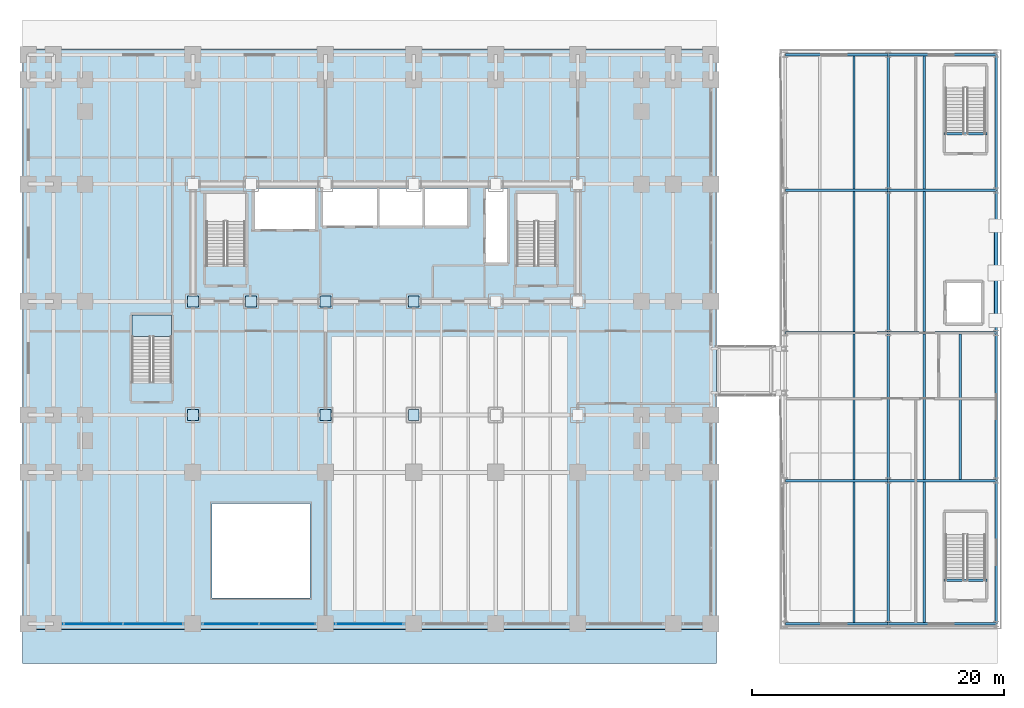
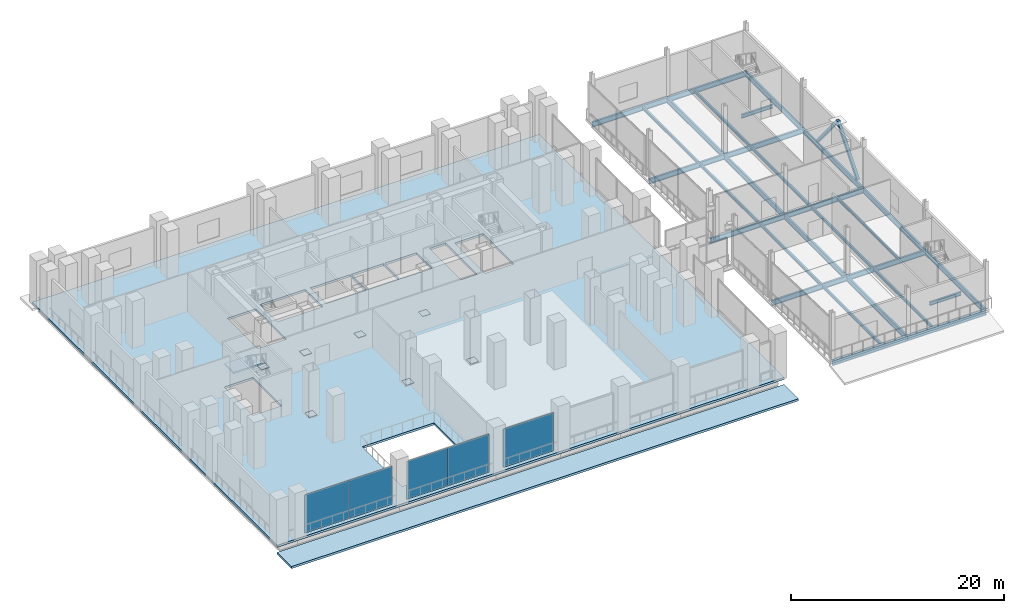
# One storey, part 18 of 32: 29 beams, 12 plates, 3 slabs, 2 members, 9 openings, 4 elements without a shape of their own.
"""IFC4 building model written with IfcOpenShell, lengths in metres."""

from ifc_helpers import new_model, si_unit, direction, frame, origin, origin_2d, place, context, subcontext, project, spatial, polyline, rectangle, hollow_rectangle, i_section, outline, extrude, material, layer, layer_set, material_profile, profile_set, type_object, element, aggregate, save


model = new_model("IFC4")

# Units and contexts
model_context = context("Model", 3, precision=1e-05, world=origin(), true_north=direction((0.0, 1.0)))
body_context = subcontext(model_context, "Body", "Model", "MODEL_VIEW")
ifc_project = project(units=[si_unit("LENGTHUNIT", "METRE"), si_unit("AREAUNIT", "SQUARE_METRE"), si_unit("VOLUMEUNIT", "CUBIC_METRE"), si_unit("PLANEANGLEUNIT", "RADIAN"), si_unit("MASSUNIT", "GRAM", prefix="KILO")], contexts=[model_context])

# Site, building, storey
site_placement = place(None, origin())
site = spatial("IfcSite", under=ifc_project, at=site_placement, CompositionType="ELEMENT")
building_placement = place(site_placement, origin())
building = spatial("IfcBuilding", under=site, at=building_placement, Name="Noeulbin Bourse Tower", CompositionType="ELEMENT")
storey_placement = place(building_placement, frame((0.0, 0.0, 5.800048828125)))
storey = spatial("IfcBuildingStorey", under=building, at=storey_placement, Name="L02", CompositionType="ELEMENT", Elevation=5.800048828125)

# Beams
ifc_material_1 = material(Name="Steel S355", Category="steel")
ifc_material_profile_1 = material_profile(ifc_material_1, i_section(OverallWidth=0.199951171875, OverallDepth=0.60009765625, WebThickness=0.010986328125, FlangeThickness=0.01708984375, FilletRadius=0.02197265625, at=origin_2d()), Name="H-600x200x11x17", Category="LoadBearing")
ifc_profile_set_1 = profile_set([ifc_material_profile_1], Name="Steel S355")
beam_type_1 = type_object("IfcBeamType", Name="BM-GRD-600", PredefinedType="USERDEFINED", material=ifc_profile_set_1)
beam_1_placement = place(storey_placement, frame((60.449951171875, 3.449951171875, -0.52001953125), z_axis=(1.0, 0.0, 0.0), x_axis=(0.0, 1.0, 0.0)))
element("IfcBeam", 1, at=beam_1_placement, inside=storey, type_object=beam_type_1, Name="Market Hall Girder EW L02-01", ObjectType="GIRDER", PredefinedType="USERDEFINED", context=body_context, shape_type="SweptSolid", body=[
    extrude(i_section(OverallWidth=0.199951171875, OverallDepth=0.60009765625, WebThickness=0.010986328125, FlangeThickness=0.01708984375, FilletRadius=0.02197265625, at=origin_2d()), origin(), (0.0, 0.0, 1.0), 8.150146484375),
])
beam_2_placement = place(storey_placement, frame((68.60009765625, 3.449951171875, -0.52001953125), z_axis=(1.0, 0.0, 0.0), x_axis=(0.0, 1.0, 0.0)))
element("IfcBeam", 2, at=beam_2_placement, inside=storey, type_object=beam_type_1, Name="Market Hall Girder EW L02-02", ObjectType="GIRDER", PredefinedType="USERDEFINED", context=body_context, shape_type="SweptSolid", body=[
    extrude(i_section(OverallWidth=0.199951171875, OverallDepth=0.60009765625, WebThickness=0.010986328125, FlangeThickness=0.01708984375, FilletRadius=0.02197265625, at=origin_2d()), origin(), (0.0, 0.0, 1.0), 8.5498046875),
])
beam_3_placement = place(storey_placement, frame((60.449951171875, 14.800048828125, -0.52001953125), z_axis=(1.0, 0.0, 0.0), x_axis=(0.0, 1.0, 0.0)))
element("IfcBeam", 3, at=beam_3_placement, inside=storey, type_object=beam_type_1, Name="Market Hall Girder EW L02-03", ObjectType="GIRDER", PredefinedType="USERDEFINED", context=body_context, shape_type="SweptSolid", body=[
    extrude(i_section(OverallWidth=0.199951171875, OverallDepth=0.60009765625, WebThickness=0.010986328125, FlangeThickness=0.01708984375, FilletRadius=0.02197265625, at=origin_2d()), origin(), (0.0, 0.0, 1.0), 8.150146484375),
])
beam_4_placement = place(storey_placement, frame((68.60009765625, 14.800048828125, -0.52001953125), z_axis=(1.0, 0.0, 0.0), x_axis=(0.0, 1.0, 0.0)))
element("IfcBeam", 4, at=beam_4_placement, inside=storey, type_object=beam_type_1, Name="Market Hall Girder EW L02-04", ObjectType="GIRDER", PredefinedType="USERDEFINED", context=body_context, shape_type="SweptSolid", body=[
    extrude(i_section(OverallWidth=0.199951171875, OverallDepth=0.60009765625, WebThickness=0.010986328125, FlangeThickness=0.01708984375, FilletRadius=0.02197265625, at=origin_2d()), origin(), (0.0, 0.0, 1.0), 8.5498046875),
])
beam_5_placement = place(storey_placement, frame((60.449951171875, 26.5, -0.52001953125), z_axis=(1.0, 0.0, 0.0), x_axis=(0.0, 1.0, 0.0)))
element("IfcBeam", 5, at=beam_5_placement, inside=storey, type_object=beam_type_1, Name="Market Hall Girder EW L02-05", ObjectType="GIRDER", PredefinedType="USERDEFINED", context=body_context, shape_type="SweptSolid", body=[
    extrude(i_section(OverallWidth=0.199951171875, OverallDepth=0.60009765625, WebThickness=0.010986328125, FlangeThickness=0.01708984375, FilletRadius=0.02197265625, at=origin_2d()), origin(), (0.0, 0.0, 1.0), 8.150146484375),
])
beam_6_placement = place(storey_placement, frame((68.60009765625, 26.5, -0.52001953125), z_axis=(1.0, 0.0, 0.0), x_axis=(0.0, 1.0, 0.0)))
element("IfcBeam", 6, at=beam_6_placement, inside=storey, type_object=beam_type_1, Name="Market Hall Girder EW L02-06", ObjectType="GIRDER", PredefinedType="USERDEFINED", context=body_context, shape_type="SweptSolid", body=[
    extrude(i_section(OverallWidth=0.199951171875, OverallDepth=0.60009765625, WebThickness=0.010986328125, FlangeThickness=0.01708984375, FilletRadius=0.02197265625, at=origin_2d()), origin(), (0.0, 0.0, 1.0), 8.5498046875),
])
beam_7_placement = place(storey_placement, frame((60.449951171875, 37.800048828125, -0.52001953125), z_axis=(1.0, 0.0, 0.0), x_axis=(0.0, 1.0, 0.0)))
element("IfcBeam", 7, at=beam_7_placement, inside=storey, type_object=beam_type_1, Name="Market Hall Girder EW L02-07", ObjectType="GIRDER", PredefinedType="USERDEFINED", context=body_context, shape_type="SweptSolid", body=[
    extrude(i_section(OverallWidth=0.199951171875, OverallDepth=0.60009765625, WebThickness=0.010986328125, FlangeThickness=0.01708984375, FilletRadius=0.02197265625, at=origin_2d()), origin(), (0.0, 0.0, 1.0), 8.150146484375),
])
beam_8_placement = place(storey_placement, frame((68.60009765625, 37.800048828125, -0.52001953125), z_axis=(1.0, 0.0, 0.0), x_axis=(0.0, 1.0, 0.0)))
element("IfcBeam", 8, at=beam_8_placement, inside=storey, type_object=beam_type_1, Name="Market Hall Girder EW L02-08", ObjectType="GIRDER", PredefinedType="USERDEFINED", context=body_context, shape_type="SweptSolid", body=[
    extrude(i_section(OverallWidth=0.199951171875, OverallDepth=0.60009765625, WebThickness=0.010986328125, FlangeThickness=0.01708984375, FilletRadius=0.02197265625, at=origin_2d()), origin(), (0.0, 0.0, 1.0), 8.5498046875),
])
beam_9_placement = place(storey_placement, frame((60.449951171875, 48.550048828125, -0.52001953125), z_axis=(1.0, 0.0, 0.0), x_axis=(0.0, 1.0, 0.0)))
element("IfcBeam", 9, at=beam_9_placement, inside=storey, type_object=beam_type_1, Name="Market Hall Girder EW L02-09", ObjectType="GIRDER", PredefinedType="USERDEFINED", context=body_context, shape_type="SweptSolid", body=[
    extrude(i_section(OverallWidth=0.199951171875, OverallDepth=0.60009765625, WebThickness=0.010986328125, FlangeThickness=0.01708984375, FilletRadius=0.02197265625, at=origin_2d()), origin(), (0.0, 0.0, 1.0), 8.150146484375),
])
beam_10_placement = place(storey_placement, frame((68.60009765625, 48.550048828125, -0.52001953125), z_axis=(1.0, 0.0, 0.0), x_axis=(0.0, 1.0, 0.0)))
element("IfcBeam", 10, at=beam_10_placement, inside=storey, type_object=beam_type_1, Name="Market Hall Girder EW L02-10", ObjectType="GIRDER", PredefinedType="USERDEFINED", context=body_context, shape_type="SweptSolid", body=[
    extrude(i_section(OverallWidth=0.199951171875, OverallDepth=0.60009765625, WebThickness=0.010986328125, FlangeThickness=0.01708984375, FilletRadius=0.02197265625, at=origin_2d()), origin(), (0.0, 0.0, 1.0), 8.5498046875),
])
beam_11_placement = place(storey_placement, frame((68.60009765625, 3.449951171875, -0.52001953125), z_axis=(0.0, 1.0, 0.0), x_axis=(-1.0, 0.0, 0.0)))
element("IfcBeam", 11, at=beam_11_placement, inside=storey, type_object=beam_type_1, Name="Market Hall Girder NS L02-15", ObjectType="GIRDER", PredefinedType="USERDEFINED", context=body_context, shape_type="SweptSolid", body=[
    extrude(i_section(OverallWidth=0.199951171875, OverallDepth=0.60009765625, WebThickness=0.010986328125, FlangeThickness=0.01708984375, FilletRadius=0.02197265625, at=origin_2d()), origin(), (0.0, 0.0, 1.0), 11.35009765625),
])
beam_12_placement = place(storey_placement, frame((68.60009765625, 14.800048828125, -0.52001953125), z_axis=(0.0, 1.0, 0.0), x_axis=(-1.0, 0.0, 0.0)))
element("IfcBeam", 12, at=beam_12_placement, inside=storey, type_object=beam_type_1, Name="Market Hall Girder NS L02-16", ObjectType="GIRDER", PredefinedType="USERDEFINED", context=body_context, shape_type="SweptSolid", body=[
    extrude(i_section(OverallWidth=0.199951171875, OverallDepth=0.60009765625, WebThickness=0.010986328125, FlangeThickness=0.01708984375, FilletRadius=0.02197265625, at=origin_2d()), origin(), (0.0, 0.0, 1.0), 11.699951171875),
])
beam_13_placement = place(storey_placement, frame((68.60009765625, 26.5, -0.52001953125), z_axis=(0.0, 1.0, 0.0), x_axis=(-1.0, 0.0, 0.0)))
element("IfcBeam", 13, at=beam_13_placement, inside=storey, type_object=beam_type_1, Name="Market Hall Girder NS L02-17", ObjectType="GIRDER", PredefinedType="USERDEFINED", context=body_context, shape_type="SweptSolid", body=[
    extrude(i_section(OverallWidth=0.199951171875, OverallDepth=0.60009765625, WebThickness=0.010986328125, FlangeThickness=0.01708984375, FilletRadius=0.02197265625, at=origin_2d()), origin(), (0.0, 0.0, 1.0), 11.300048828125),
])
beam_14_placement = place(storey_placement, frame((68.60009765625, 37.800048828125, -0.52001953125), z_axis=(0.0, 1.0, 0.0), x_axis=(-1.0, 0.0, 0.0)))
element("IfcBeam", 14, at=beam_14_placement, inside=storey, type_object=beam_type_1, Name="Market Hall Girder NS L02-18", ObjectType="GIRDER", PredefinedType="USERDEFINED", context=body_context, shape_type="SweptSolid", body=[
    extrude(i_section(OverallWidth=0.199951171875, OverallDepth=0.60009765625, WebThickness=0.010986328125, FlangeThickness=0.01708984375, FilletRadius=0.02197265625, at=origin_2d()), origin(), (0.0, 0.0, 1.0), 10.75),
])
beam_15_placement = place(storey_placement, frame((77.14990234375, 3.449951171875, -0.52001953125), z_axis=(0.0, 1.0, 0.0), x_axis=(-1.0, 0.0, 0.0)))
element("IfcBeam", 15, at=beam_15_placement, inside=storey, type_object=beam_type_1, Name="Market Hall Girder NS L02-19", ObjectType="GIRDER", PredefinedType="USERDEFINED", context=body_context, shape_type="SweptSolid", body=[
    extrude(i_section(OverallWidth=0.199951171875, OverallDepth=0.60009765625, WebThickness=0.010986328125, FlangeThickness=0.01708984375, FilletRadius=0.02197265625, at=origin_2d()), origin(), (0.0, 0.0, 1.0), 11.35009765625),
])
beam_16_placement = place(storey_placement, frame((77.14990234375, 14.800048828125, -0.52001953125), z_axis=(0.0, 1.0, 0.0), x_axis=(-1.0, 0.0, 0.0)))
element("IfcBeam", 16, at=beam_16_placement, inside=storey, type_object=beam_type_1, Name="Market Hall Girder NS L02-20", ObjectType="GIRDER", PredefinedType="USERDEFINED", context=body_context, shape_type="SweptSolid", body=[
    extrude(i_section(OverallWidth=0.199951171875, OverallDepth=0.60009765625, WebThickness=0.010986328125, FlangeThickness=0.01708984375, FilletRadius=0.02197265625, at=origin_2d()), origin(), (0.0, 0.0, 1.0), 11.699951171875),
])
beam_17_placement = place(storey_placement, frame((77.14990234375, 26.5, -0.52001953125), z_axis=(0.0, 1.0, 0.0), x_axis=(-1.0, 0.0, 0.0)))
element("IfcBeam", 17, at=beam_17_placement, inside=storey, type_object=beam_type_1, Name="Market Hall Girder NS L02-21", ObjectType="GIRDER", PredefinedType="USERDEFINED", context=body_context, shape_type="SweptSolid", body=[
    extrude(i_section(OverallWidth=0.199951171875, OverallDepth=0.60009765625, WebThickness=0.010986328125, FlangeThickness=0.01708984375, FilletRadius=0.02197265625, at=origin_2d()), origin(), (0.0, 0.0, 1.0), 11.300048828125),
])
beam_18_placement = place(storey_placement, frame((77.14990234375, 37.800048828125, -0.52001953125), z_axis=(0.0, 1.0, 0.0), x_axis=(-1.0, 0.0, 0.0)))
element("IfcBeam", 18, at=beam_18_placement, inside=storey, type_object=beam_type_1, Name="Market Hall Girder NS L02-22", ObjectType="GIRDER", PredefinedType="USERDEFINED", context=body_context, shape_type="SweptSolid", body=[
    extrude(i_section(OverallWidth=0.199951171875, OverallDepth=0.60009765625, WebThickness=0.010986328125, FlangeThickness=0.01708984375, FilletRadius=0.02197265625, at=origin_2d()), origin(), (0.0, 0.0, 1.0), 10.75),
])
ifc_material_profile_2 = material_profile(ifc_material_1, i_section(OverallWidth=0.175048828125, OverallDepth=0.35009765625, WebThickness=0.007080078125, FlangeThickness=0.010986328125, FilletRadius=0.013916015625, at=origin_2d()), Name="H-350x175x7x11", Category="LoadBearing")
ifc_profile_set_2 = profile_set([ifc_material_profile_2], Name="Steel S355")
beam_type_2 = type_object("IfcBeamType", Name="BM-JST-350", PredefinedType="JOIST", material=ifc_profile_set_2)
beam_19_placement = place(storey_placement, frame((65.88330078125, 3.550048828125, -0.39501953125), z_axis=(0.0, 1.0, 0.0), x_axis=(-1.0, 0.0, 0.0)))
element("IfcBeam", 19, at=beam_19_placement, inside=storey, type_object=beam_type_2, Name="Market Hall Secondary Joist L02-05", PredefinedType="JOIST", context=body_context, shape_type="SweptSolid", body=[
    extrude(i_section(OverallWidth=0.175048828125, OverallDepth=0.35009765625, WebThickness=0.007080078125, FlangeThickness=0.010986328125, FilletRadius=0.013916015625, at=origin_2d()), origin(), (0.0, 0.0, 1.0), 11.14990234375),
])
beam_20_placement = place(storey_placement, frame((65.88330078125, 14.89990234375, -0.39501953125), z_axis=(0.0, 1.0, 0.0), x_axis=(-1.0, 0.0, 0.0)))
element("IfcBeam", 20, at=beam_20_placement, inside=storey, type_object=beam_type_2, Name="Market Hall Secondary Joist L02-06", PredefinedType="JOIST", context=body_context, shape_type="SweptSolid", body=[
    extrude(i_section(OverallWidth=0.175048828125, OverallDepth=0.35009765625, WebThickness=0.007080078125, FlangeThickness=0.010986328125, FilletRadius=0.013916015625, at=origin_2d()), origin(), (0.0, 0.0, 1.0), 11.5),
])
beam_21_placement = place(storey_placement, frame((65.88330078125, 26.60009765625, -0.39501953125), z_axis=(0.0, 1.0, 0.0), x_axis=(-1.0, 0.0, 0.0)))
element("IfcBeam", 21, at=beam_21_placement, inside=storey, type_object=beam_type_2, Name="Market Hall Secondary Joist L02-07", PredefinedType="JOIST", context=body_context, shape_type="SweptSolid", body=[
    extrude(i_section(OverallWidth=0.175048828125, OverallDepth=0.35009765625, WebThickness=0.007080078125, FlangeThickness=0.010986328125, FilletRadius=0.013916015625, at=origin_2d()), origin(), (0.0, 0.0, 1.0), 11.099853515625),
])
beam_22_placement = place(storey_placement, frame((65.88330078125, 37.89990234375, -0.39501953125), z_axis=(0.0, 1.0, 0.0), x_axis=(-1.0, 0.0, 0.0)))
element("IfcBeam", 22, at=beam_22_placement, inside=storey, type_object=beam_type_2, Name="Market Hall Secondary Joist L02-08", PredefinedType="JOIST", context=body_context, shape_type="SweptSolid", body=[
    extrude(i_section(OverallWidth=0.175048828125, OverallDepth=0.35009765625, WebThickness=0.007080078125, FlangeThickness=0.010986328125, FilletRadius=0.013916015625, at=origin_2d()), origin(), (0.0, 0.0, 1.0), 10.550048828125),
])
beam_23_placement = place(storey_placement, frame((71.449951171875, 3.550048828125, -0.39501953125), z_axis=(0.0, 1.0, 0.0), x_axis=(-1.0, 0.0, 0.0)))
element("IfcBeam", 23, at=beam_23_placement, inside=storey, type_object=beam_type_2, Name="Market Hall Secondary Joist L02-09", PredefinedType="JOIST", context=body_context, shape_type="SweptSolid", body=[
    extrude(i_section(OverallWidth=0.175048828125, OverallDepth=0.35009765625, WebThickness=0.007080078125, FlangeThickness=0.010986328125, FilletRadius=0.013916015625, at=origin_2d()), origin(), (0.0, 0.0, 1.0), 11.14990234375),
])
beam_24_placement = place(storey_placement, frame((71.449951171875, 14.89990234375, -0.39501953125), z_axis=(0.0, 1.0, 0.0), x_axis=(-1.0, 0.0, 0.0)))
element("IfcBeam", 24, at=beam_24_placement, inside=storey, type_object=beam_type_2, Name="Market Hall Secondary Joist L02-10", PredefinedType="JOIST", context=body_context, shape_type="SweptSolid", body=[
    extrude(i_section(OverallWidth=0.175048828125, OverallDepth=0.35009765625, WebThickness=0.007080078125, FlangeThickness=0.010986328125, FilletRadius=0.013916015625, at=origin_2d()), origin(), (0.0, 0.0, 1.0), 11.5),
])
beam_25_placement = place(storey_placement, frame((71.449951171875, 26.60009765625, -0.39501953125), z_axis=(0.0, 1.0, 0.0), x_axis=(-1.0, 0.0, 0.0)))
element("IfcBeam", 25, at=beam_25_placement, inside=storey, type_object=beam_type_2, Name="Market Hall Secondary Joist L02-11", PredefinedType="JOIST", context=body_context, shape_type="SweptSolid", body=[
    extrude(i_section(OverallWidth=0.175048828125, OverallDepth=0.35009765625, WebThickness=0.007080078125, FlangeThickness=0.010986328125, FilletRadius=0.013916015625, at=origin_2d()), origin(), (0.0, 0.0, 1.0), 11.099853515625),
])
beam_26_placement = place(storey_placement, frame((71.449951171875, 37.89990234375, -0.39501953125), z_axis=(0.0, 1.0, 0.0), x_axis=(-1.0, 0.0, 0.0)))
element("IfcBeam", 26, at=beam_26_placement, inside=storey, type_object=beam_type_2, Name="Market Hall Secondary Joist L02-12", PredefinedType="JOIST", context=body_context, shape_type="SweptSolid", body=[
    extrude(i_section(OverallWidth=0.175048828125, OverallDepth=0.35009765625, WebThickness=0.007080078125, FlangeThickness=0.010986328125, FilletRadius=0.013916015625, at=origin_2d()), origin(), (0.0, 0.0, 1.0), 10.550048828125),
])
beam_27_placement = place(storey_placement, frame((74.300048828125, 14.89990234375, -0.39501953125), z_axis=(0.0, 1.0, 0.0), x_axis=(-1.0, 0.0, 0.0)))
element("IfcBeam", 27, at=beam_27_placement, inside=storey, type_object=beam_type_2, Name="Market Hall Secondary Joist L02-13", PredefinedType="JOIST", context=body_context, shape_type="SweptSolid", body=[
    extrude(i_section(OverallWidth=0.175048828125, OverallDepth=0.35009765625, WebThickness=0.007080078125, FlangeThickness=0.010986328125, FilletRadius=0.013916015625, at=origin_2d()), origin(), (0.0, 0.0, 1.0), 11.5),
])
ifc_material_profile_3 = material_profile(ifc_material_1, i_section(OverallWidth=0.199951171875, OverallDepth=0.39990234375, WebThickness=0.008056640625, FlangeThickness=0.012939453125, FilletRadius=0.01611328125, at=origin_2d()), Name="H-400x200x8x13", Category="LoadBearing")
ifc_profile_set_3 = profile_set([ifc_material_profile_3], Name="Steel S355")
beam_type_3 = type_object("IfcBeamType", Name="BM-SEC-400", PredefinedType="BEAM", material=ifc_profile_set_3)
for number, where, z_axis, x_axis, name in (
    (28, (73.02001953125, 6.889892578125, -0.199951171875), (1.0, 0.0, 0.0), (0.0, 1.0, 0.0), "Stair Threshold Trimmer Beam MST1-L02"),
    (29, (73.02001953125, 42.2900390625, -0.199951171875), (1.0, 0.0, 0.0), (0.0, 1.0, 0.0), "Stair Threshold Trimmer Beam MST2-L02"),
):
    element("IfcBeam", number, at=place(storey_placement, frame(where, z_axis=z_axis, x_axis=x_axis)), inside=storey, type_object=beam_type_3, Name=name, PredefinedType="BEAM", context=body_context, shape_type="SweptSolid", body=[
        extrude(i_section(OverallWidth=0.199951171875, OverallDepth=0.39990234375, WebThickness=0.008056640625, FlangeThickness=0.012939453125, FilletRadius=0.01611328125, at=origin_2d()), origin(), (0.0, 0.0, 1.0), 3.39990234375),
    ])

# Members
ifc_material_profile_4 = material_profile(ifc_material_1, hollow_rectangle(XDim=0.320068359375, YDim=0.320068359375, WallThickness=0.013916015625, InnerFilletRadius=0.013916015625, OuterFilletRadius=0.028076171875, at=origin_2d()), Name="SHS-320x320x14", Category="LoadBearing")
ifc_profile_set_4 = profile_set([ifc_material_profile_4], Name="Steel S355")
member_type = type_object("IfcMemberType", Name="MEM-MKT-320", PredefinedType="BRACE", material=ifc_profile_set_4)
for number, where, z_axis, x_axis, name in (
    (30, (77.14990234375, 27.5, 0.010009765625), (0.0, 0.638506468811, 0.769616455961), (-1.0, 0.0, 0.0), "Market Hall Braced Frame Diagonal MB-L02-1"),
    (31, (77.14990234375, 31.25, 4.530029296875), (0.0, 0.638506468811, -0.769616455961), (-1.0, 0.0, 0.0), "Market Hall Braced Frame Diagonal MB-L02-2"),
):
    element("IfcMember", number, at=place(storey_placement, frame(where, z_axis=z_axis, x_axis=x_axis)), inside=storey, type_object=member_type, Name=name, PredefinedType="BRACE", context=body_context, shape_type="SweptSolid", body=[
        extrude(hollow_rectangle(XDim=0.320068359375, YDim=0.320068359375, WallThickness=0.013916015625, InnerFilletRadius=0.013916015625, OuterFilletRadius=0.028076171875, at=origin_2d()), origin(), (0.0, 0.0, 1.0), 5.873046875),
    ])

# Curtain wall, plates
ifc_material_2 = material(Name="Laminated Clear Low-E Glass", Category="glass")
curtain_wall_type = type_object("IfcCurtainWallType", Name="CW-SYS-1", PredefinedType="NOTDEFINED", material=ifc_material_2)
curtain_wall_1_placement = place(storey_placement, origin())
curtain_wall_1 = element("IfcCurtainWall", 32, at=curtain_wall_1_placement, inside=storey, type_object=curtain_wall_type, Name="Unitised Curtain Wall CW-L02-POD-S-S1", PredefinedType="NOTDEFINED")
ifc_layer_1 = layer(ifc_material_2, 0.035888671875)
ifc_layer_set_1 = layer_set([ifc_layer_1], Name="Laminated Clear Low-E Glass")
plate_type_1 = type_object("IfcPlateType", Name="CW-SYS-1-PNL", PredefinedType="CURTAIN_PANEL", material=ifc_layer_set_1)
plate_1_placement = place(storey_placement, frame((5.60498046875, 3.449951171875, 0.0), z_axis=(0.0, 0.0, 1.0), x_axis=(1.0, 0.0, 0.0)))
plate_1 = element("IfcPlate", 33, at=plate_1_placement, type_object=plate_type_1, Name="Glazed Curtain Panel CW-L02-POD-S-S1-P00", PredefinedType="CURTAIN_PANEL", context=body_context, shape_type="SweptSolid", body=[
    extrude(rectangle(XDim=4.739990234375, YDim=0.035888671875, at=origin_2d()), origin(), (0.0, 0.0, 1.0), 4.3701171875),
])
plate_2_placement = place(storey_placement, frame((10.344970703125, 3.449951171875, 0.0), z_axis=(0.0, 0.0, 1.0), x_axis=(1.0, 0.0, 0.0)))
plate_2 = element("IfcPlate", 34, at=plate_2_placement, type_object=plate_type_1, Name="Glazed Curtain Panel CW-L02-POD-S-S1-P01", PredefinedType="CURTAIN_PANEL", context=body_context, shape_type="SweptSolid", body=[
    extrude(rectangle(XDim=4.739990234375, YDim=0.035888671875, at=origin_2d()), origin(), (0.0, 0.0, 1.0), 4.3701171875),
])
aggregate(curtain_wall_1, [plate_1, plate_2])

curtain_wall_2_placement = place(storey_placement, origin())
curtain_wall_2 = element("IfcCurtainWall", 35, at=curtain_wall_2_placement, inside=storey, type_object=curtain_wall_type, Name="Unitised Curtain Wall CW-L02-POD-S-S2", PredefinedType="NOTDEFINED")
plate_3_placement = place(storey_placement, frame((16.517578125, 3.449951171875, 0.0), z_axis=(0.0, 0.0, 1.0), x_axis=(1.0, 0.0, 0.0)))
plate_3 = element("IfcPlate", 36, at=plate_3_placement, type_object=plate_type_1, Name="Glazed Curtain Panel CW-L02-POD-S-S2-P00", PredefinedType="CURTAIN_PANEL", context=body_context, shape_type="SweptSolid", body=[
    extrude(rectangle(XDim=4.465087890625, YDim=0.035888671875, at=origin_2d()), origin(), (0.0, 0.0, 1.0), 4.3701171875),
])
plate_4_placement = place(storey_placement, frame((20.982421875, 3.449951171875, 0.0), z_axis=(0.0, 0.0, 1.0), x_axis=(1.0, 0.0, 0.0)))
plate_4 = element("IfcPlate", 37, at=plate_4_placement, type_object=plate_type_1, Name="Glazed Curtain Panel CW-L02-POD-S-S2-P01", PredefinedType="CURTAIN_PANEL", context=body_context, shape_type="SweptSolid", body=[
    extrude(rectangle(XDim=4.465087890625, YDim=0.035888671875, at=origin_2d()), origin(), (0.0, 0.0, 1.0), 4.3701171875),
])
aggregate(curtain_wall_2, [plate_3, plate_4])

# Curtain wall, plate
curtain_wall_3_placement = place(storey_placement, origin())
curtain_wall_3 = element("IfcCurtainWall", 38, at=curtain_wall_3_placement, inside=storey, type_object=curtain_wall_type, Name="Unitised Curtain Wall CW-L02-POD-S-S3", PredefinedType="NOTDEFINED")
plate_5_placement = place(storey_placement, frame((27.5, 3.449951171875, 0.0), z_axis=(0.0, 0.0, 1.0), x_axis=(1.0, 0.0, 0.0)))
plate_5 = element("IfcPlate", 39, at=plate_5_placement, type_object=plate_type_1, Name="Glazed Curtain Panel CW-L02-POD-S-S3-P00", PredefinedType="CURTAIN_PANEL", context=body_context, shape_type="SweptSolid", body=[
    extrude(rectangle(XDim=5.429931640625, YDim=0.035888671875, at=origin_2d()), origin(), (0.0, 0.0, 1.0), 4.3701171875),
])
aggregate(curtain_wall_3, [plate_5])

# Plates
ifc_layer_2 = layer(ifc_material_1, 0.030029296875)
ifc_layer_set_2 = layer_set([ifc_layer_2], Name="Steel S355")
plate_type_2 = type_object("IfcPlateType", Name="PLT-BN1", PredefinedType="USERDEFINED", material=ifc_layer_set_2)
for number, where, z_axis, x_axis, name in (
    (40, (13.5, 29.0, 0.0048828125), (0.0, 0.0, 1.0), (1.0, 0.0, 0.0), "Mega-Column Splice Plate BN1-L02-01"),
    (41, (18.10009765625, 29.0, 0.0048828125), (0.0, 0.0, 1.0), (1.0, 0.0, 0.0), "Mega-Column Splice Plate BN1-L02-03"),
    (42, (24.0, 29.0, 0.0048828125), (0.0, 0.0, 1.0), (1.0, 0.0, 0.0), "Mega-Column Splice Plate BN1-L02-05"),
    (43, (31.0, 29.0, 0.0048828125), (0.0, 0.0, 1.0), (1.0, 0.0, 0.0), "Mega-Column Splice Plate BN1-L02-07"),
    (44, (13.5, 20.0, 0.0048828125), (0.0, 0.0, 1.0), (1.0, 0.0, 0.0), "Mega-Column Splice Plate BN1-L02-13"),
    (45, (24.0, 20.0, 0.0048828125), (0.0, 0.0, 1.0), (1.0, 0.0, 0.0), "Mega-Column Splice Plate BN1-L02-14"),
    (46, (31.0, 20.0, 0.0048828125), (0.0, 0.0, 1.0), (1.0, 0.0, 0.0), "Mega-Column Splice Plate BN1-L02-15"),
):
    element("IfcPlate", number, at=place(storey_placement, frame(where, z_axis=z_axis, x_axis=x_axis)), inside=storey, type_object=plate_type_2, Name=name, ObjectType="SPLICE PLATE", PredefinedType="USERDEFINED", context=body_context, shape_type="SweptSolid", body=[
        extrude(rectangle(XDim=0.85009765625, YDim=0.85009765625, at=origin_2d()), origin(), (0.0, 0.0, 1.0), 0.030029296875),
    ])

# Stair, slab
ifc_material_3 = material(Name="Concrete C40/50", Category="concrete")
stair_type = type_object("IfcStairType", Name="STR-AUX-1620", PredefinedType="HALF_TURN_STAIR", material=ifc_material_3)
stair_placement = place(storey_placement, origin())
stair = element("IfcStair", 47, at=stair_placement, inside=storey, type_object=stair_type, Name="L02 ST-P1", PredefinedType="HALF_TURN_STAIR")
ifc_layer_3 = layer(ifc_material_3, 0.199951171875)
ifc_layer_set_3 = layer_set([ifc_layer_3], Name="Concrete C40/50")
slab_type_1 = type_object("IfcSlabType", Name="SLB-LND-200", PredefinedType="LANDING", material=ifc_layer_set_3)
slab_1_placement = place(storey_placement, frame((0.0, 0.0, 2.5)))
slab_1 = element("IfcSlab", 48, at=slab_1_placement, type_object=slab_type_1, Name="ST-P1 landing 1", PredefinedType="LANDING", context=body_context, shape_type="SweptSolid", body=[
    extrude(outline(polyline([(11.800048828125, 26.219970703125), (11.800048828125, 27.93994140625), (8.679931640625, 27.93994140625), (8.679931640625, 26.219970703125), (11.800048828125, 26.219970703125)])), origin(), (0.0, 0.0, 1.0), 0.199951171875),
])
aggregate(stair, [slab_1])

# Slab, openings
ifc_layer_4 = layer(ifc_material_3, 0.25)
ifc_layer_set_4 = layer_set([ifc_layer_4], Name="Concrete C40/50")
slab_type_2 = type_object("IfcSlabType", Name="SLB-POD-250", PredefinedType="FLOOR", material=ifc_layer_set_4)
slab_2_placement = place(storey_placement, frame((0.0, 0.0, -0.25)))
slab_2 = element("IfcSlab", 49, at=slab_2_placement, inside=storey, type_object=slab_type_2, Name="Exchange Podium Floor Slab L02", PredefinedType="FLOOR", context=body_context, shape_type="SweptSolid", body=[
    extrude(outline(polyline([(0.0, 3.0), (55.0, 3.0), (55.0, 49.0), (0.0, 49.0), (0.0, 3.0)]), holes=[polyline([(17.64990234375, 31.81005859375), (17.64990234375, 37.5439453125), (14.550048828125, 37.5439453125), (14.550048828125, 31.81005859375), (17.64990234375, 31.81005859375)]), polyline([(42.280029296875, 31.81005859375), (42.280029296875, 37.5439453125), (39.179931640625, 37.5439453125), (39.179931640625, 31.81005859375), (42.280029296875, 31.81005859375)]), polyline([(11.800048828125, 22.580078125), (11.800048828125, 27.93994140625), (8.679931640625, 27.93994140625), (8.679931640625, 22.580078125), (11.800048828125, 22.580078125)]), polyline([(18.35009765625, 34.699951171875), (23.25, 34.699951171875), (23.25, 37.949951171875), (18.35009765625, 37.949951171875), (18.35009765625, 34.699951171875)]), polyline([(36.699951171875, 32.050048828125), (38.449951171875, 32.050048828125), (38.449951171875, 37.949951171875), (36.699951171875, 37.949951171875), (36.699951171875, 32.050048828125)]), polyline([(23.800048828125, 35.0), (28.10009765625, 35.0), (28.10009765625, 37.949951171875), (23.800048828125, 37.949951171875), (23.800048828125, 35.0)]), polyline([(28.25, 35.0), (31.699951171875, 35.0), (31.699951171875, 37.949951171875), (28.25, 37.949951171875), (28.25, 35.0)]), polyline([(31.85009765625, 35.0), (35.300048828125, 35.0), (35.300048828125, 37.949951171875), (31.85009765625, 37.949951171875), (31.85009765625, 35.0)]), polyline([(15.0, 5.5), (22.800048828125, 5.5), (22.800048828125, 13.0), (15.0, 13.0), (15.0, 5.5)])]), origin(), (0.0, 0.0, 1.0), 0.25),
])
opening_1_placement = place(slab_2_placement, frame((0.0, 0.0, -0.010009765625)))
element("IfcOpeningElement", 50, at=opening_1_placement, cuts=slab_2, Name="Slab Shaft Opening SLB-L02-POD-1", PredefinedType="OPENING", context=body_context, shape_type="SweptSolid", body=[
    extrude(outline(polyline([(17.64990234375, 31.81005859375), (17.64990234375, 37.5439453125), (14.550048828125, 37.5439453125), (14.550048828125, 31.81005859375), (17.64990234375, 31.81005859375)])), origin(), (0.0, 0.0, 1.0), 0.27001953125),
])
opening_2_placement = place(slab_2_placement, frame((0.0, 0.0, -0.010009765625)))
element("IfcOpeningElement", 51, at=opening_2_placement, cuts=slab_2, Name="Slab Shaft Opening SLB-L02-POD-2", PredefinedType="OPENING", context=body_context, shape_type="SweptSolid", body=[
    extrude(outline(polyline([(42.280029296875, 31.81005859375), (42.280029296875, 37.5439453125), (39.179931640625, 37.5439453125), (39.179931640625, 31.81005859375), (42.280029296875, 31.81005859375)])), origin(), (0.0, 0.0, 1.0), 0.27001953125),
])
opening_3_placement = place(slab_2_placement, frame((0.0, 0.0, -0.010009765625)))
element("IfcOpeningElement", 52, at=opening_3_placement, cuts=slab_2, Name="Slab Shaft Opening SLB-L02-POD-3", PredefinedType="OPENING", context=body_context, shape_type="SweptSolid", body=[
    extrude(outline(polyline([(11.800048828125, 22.580078125), (11.800048828125, 27.93994140625), (8.679931640625, 27.93994140625), (8.679931640625, 22.580078125), (11.800048828125, 22.580078125)])), origin(), (0.0, 0.0, 1.0), 0.27001953125),
])
opening_4_placement = place(slab_2_placement, frame((0.0, 0.0, -0.010009765625)))
element("IfcOpeningElement", 53, at=opening_4_placement, cuts=slab_2, Name="Slab Shaft Opening SLB-L02-POD-4", PredefinedType="OPENING", context=body_context, shape_type="SweptSolid", body=[
    extrude(outline(polyline([(18.35009765625, 34.699951171875), (23.25, 34.699951171875), (23.25, 37.949951171875), (18.35009765625, 37.949951171875), (18.35009765625, 34.699951171875)])), origin(), (0.0, 0.0, 1.0), 0.27001953125),
])
opening_5_placement = place(slab_2_placement, frame((0.0, 0.0, -0.010009765625)))
element("IfcOpeningElement", 54, at=opening_5_placement, cuts=slab_2, Name="Slab Shaft Opening SLB-L02-POD-5", PredefinedType="OPENING", context=body_context, shape_type="SweptSolid", body=[
    extrude(outline(polyline([(36.699951171875, 32.050048828125), (38.449951171875, 32.050048828125), (38.449951171875, 37.949951171875), (36.699951171875, 37.949951171875), (36.699951171875, 32.050048828125)])), origin(), (0.0, 0.0, 1.0), 0.27001953125),
])
opening_6_placement = place(slab_2_placement, frame((0.0, 0.0, -0.010009765625)))
element("IfcOpeningElement", 55, at=opening_6_placement, cuts=slab_2, Name="Slab Shaft Opening SLB-L02-POD-6", PredefinedType="OPENING", context=body_context, shape_type="SweptSolid", body=[
    extrude(outline(polyline([(23.800048828125, 35.0), (28.10009765625, 35.0), (28.10009765625, 37.949951171875), (23.800048828125, 37.949951171875), (23.800048828125, 35.0)])), origin(), (0.0, 0.0, 1.0), 0.27001953125),
])
opening_7_placement = place(slab_2_placement, frame((0.0, 0.0, -0.010009765625)))
element("IfcOpeningElement", 56, at=opening_7_placement, cuts=slab_2, Name="Slab Shaft Opening SLB-L02-POD-7", PredefinedType="OPENING", context=body_context, shape_type="SweptSolid", body=[
    extrude(outline(polyline([(28.25, 35.0), (31.699951171875, 35.0), (31.699951171875, 37.949951171875), (28.25, 37.949951171875), (28.25, 35.0)])), origin(), (0.0, 0.0, 1.0), 0.27001953125),
])
opening_8_placement = place(slab_2_placement, frame((0.0, 0.0, -0.010009765625)))
element("IfcOpeningElement", 57, at=opening_8_placement, cuts=slab_2, Name="Slab Shaft Opening SLB-L02-POD-8", PredefinedType="OPENING", context=body_context, shape_type="SweptSolid", body=[
    extrude(outline(polyline([(31.85009765625, 35.0), (35.300048828125, 35.0), (35.300048828125, 37.949951171875), (31.85009765625, 37.949951171875), (31.85009765625, 35.0)])), origin(), (0.0, 0.0, 1.0), 0.27001953125),
])
opening_9_placement = place(slab_2_placement, frame((0.0, 0.0, -0.010009765625)))
element("IfcOpeningElement", 58, at=opening_9_placement, cuts=slab_2, Name="Slab Shaft Opening SLB-L02-POD-9", PredefinedType="OPENING", context=body_context, shape_type="SweptSolid", body=[
    extrude(outline(polyline([(15.0, 5.5), (22.800048828125, 5.5), (22.800048828125, 13.0), (15.0, 13.0), (15.0, 5.5)])), origin(), (0.0, 0.0, 1.0), 0.27001953125),
])

# Slab
ifc_layer_5 = layer(ifc_material_3, 0.25)
ifc_layer_set_5 = layer_set([ifc_layer_5], Name="Concrete C40/50")
slab_type_3 = type_object("IfcSlabType", Name="SLB-ROOF-250", PredefinedType="ROOF", material=ifc_layer_set_5)
slab_3_placement = place(storey_placement, frame((0.0, 0.0, -1.050048828125)))
element("IfcSlab", 59, at=slab_3_placement, inside=storey, type_object=slab_type_3, Name="Podium South Perimeter Roof Slab L02", PredefinedType="ROOF", context=body_context, shape_type="SweptSolid", body=[
    extrude(outline(polyline([(0.0, 0.300048828125), (55.0, 0.300048828125), (55.0, 3.0), (0.0, 3.0), (0.0, 0.300048828125)])), origin(), (0.0, 0.0, 1.0), 0.25),
])

save(model, "model.ifc")
